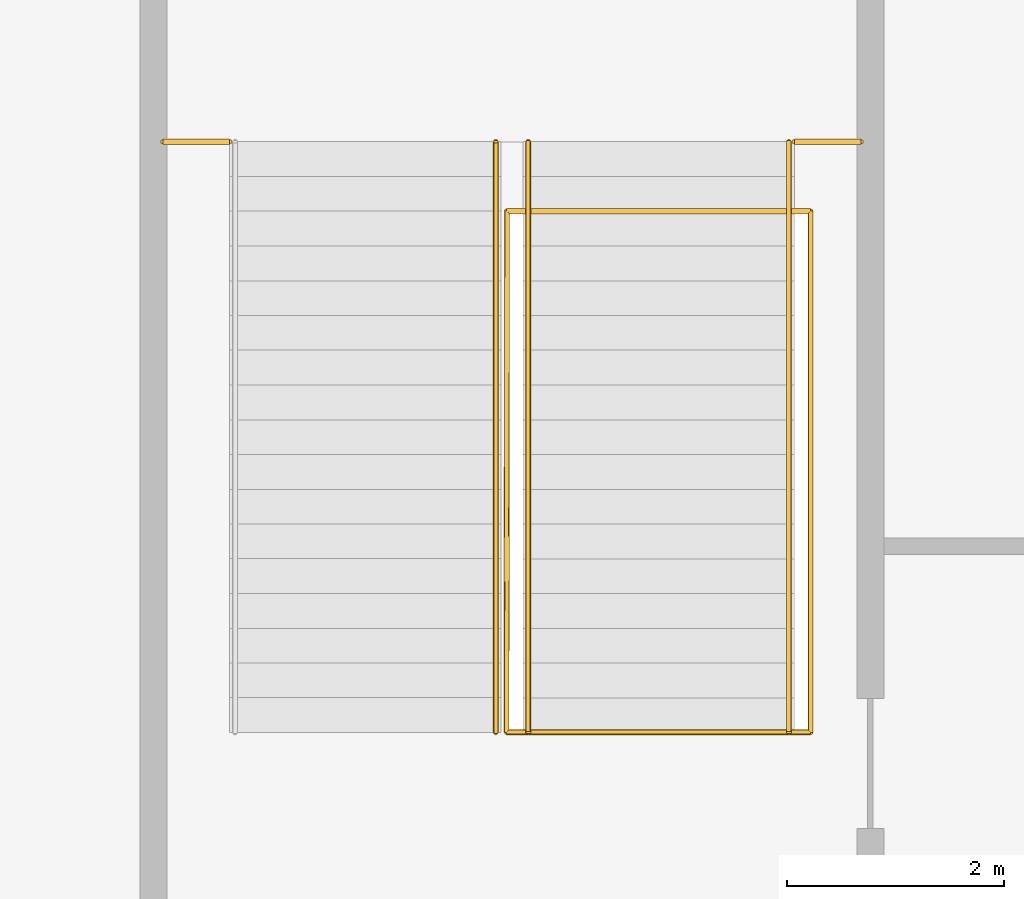
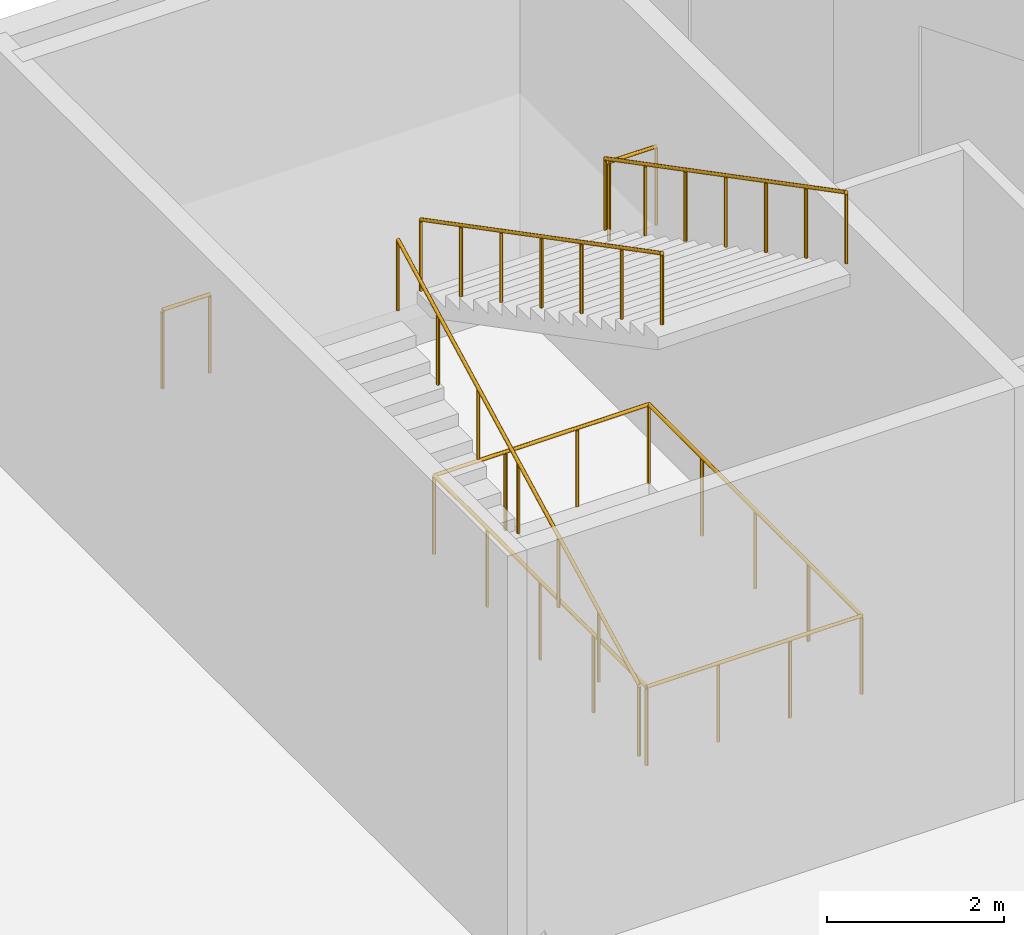
# One storey, part 15 of 16: 6 railings.
"""IFC4 building model written with IfcOpenShell, lengths in metres."""

from ifc_helpers import new_model, si_unit, direction, frame, origin, origin_2d, place, context, subcontext, project, spatial, circle, extrude, material, type_object, element, save


model = new_model("IFC4")

# Units and contexts
model_context = context("Model", 3, precision=1e-05, world=origin(), true_north=direction((0.0, 1.0)))
body_context = subcontext(model_context, "Body", "Model", "MODEL_VIEW")
ifc_project = project(units=[si_unit("LENGTHUNIT", "METRE"), si_unit("AREAUNIT", "SQUARE_METRE"), si_unit("VOLUMEUNIT", "CUBIC_METRE"), si_unit("PLANEANGLEUNIT", "RADIAN"), si_unit("MASSUNIT", "GRAM", prefix="KILO")], contexts=[model_context])

# Site, building, storey
site_placement = place(None, origin())
site = spatial("IfcSite", under=ifc_project, at=site_placement, CompositionType="ELEMENT")
building_placement = place(site_placement, origin())
building = spatial("IfcBuilding", under=site, at=building_placement, Name="Fogline Exchange Tower", CompositionType="ELEMENT")
storey_placement = place(building_placement, frame((0.0, 0.0, 14.0)))
storey = spatial("IfcBuildingStorey", under=building, at=storey_placement, Name="L02", CompositionType="ELEMENT", Elevation=14.0)

# Railings
ifc_material = material(Name="Steel Q235B", Category="steel")
railing_type_1 = type_object("IfcRailingType", Name="PG1", PredefinedType="GUARDRAIL", material=ifc_material)
railing_1_placement = place(storey_placement, frame((-0.050048828125, 69.985107421875, 0.0)))
element("IfcRailing", 1, at=railing_1_placement, inside=storey, type_object=railing_type_1, Name="Stair well guard ST6", PredefinedType="GUARDRAIL", context=body_context, shape_type="SweptSolid", body=[
    extrude(circle(Radius=0.02392578125, at=origin_2d()), frame((0.0, 0.0, 1.076171875), z_axis=(1.0, 0.0, 0.0), x_axis=(0.0, 1.0, 0.0)), (0.0, 0.0, 1.0), 2.800048828125),
    extrude(circle(Radius=0.02392578125, at=origin_2d()), frame((2.800048828125, 0.0, 1.076171875), z_axis=(0.0, -1.0, 0.0), x_axis=(1.0, 0.0, 0.0)), (0.0, 0.0, 1.0), 4.798095703125),
    extrude(circle(Radius=0.02392578125, at=origin_2d()), frame((2.800048828125, -4.798095703125, 1.076171875), z_axis=(-1.0, 0.0, 0.0), x_axis=(0.0, -1.0, 0.0)), (0.0, 0.0, 1.0), 2.800048828125),
    extrude(circle(Radius=0.02392578125, at=origin_2d()), frame((0.0, -4.798095703125, 1.076171875), z_axis=(0.001068538544, 0.999999429113, 0.0), x_axis=(-0.999999429113, 0.001068538544, 0.0)), (0.0, 0.0, 1.0), 4.798095703125),
    extrude(circle(Radius=0.02099609375, at=origin_2d()), origin(), (0.0, 0.0, 1.0), 1.052001953125),
    extrude(circle(Radius=0.02099609375, at=origin_2d()), frame((0.933349609375, 0.0, 0.0)), (0.0, 0.0, 1.0), 1.052001953125),
    extrude(circle(Radius=0.02099609375, at=origin_2d()), frame((1.86669921875, 0.0, 0.0)), (0.0, 0.0, 1.0), 1.052001953125),
    extrude(circle(Radius=0.02099609375, at=origin_2d()), frame((2.800048828125, 0.0, 0.0)), (0.0, 0.0, 1.0), 1.052001953125),
    extrude(circle(Radius=0.02099609375, at=origin_2d()), frame((2.800048828125, -1.199462890625, 0.0)), (0.0, 0.0, 1.0), 1.052001953125),
    extrude(circle(Radius=0.02099609375, at=origin_2d()), frame((2.800048828125, -2.39892578125, 0.0)), (0.0, 0.0, 1.0), 1.052001953125),
    extrude(circle(Radius=0.02099609375, at=origin_2d()), frame((2.800048828125, -3.5986328125, 0.0)), (0.0, 0.0, 1.0), 1.052001953125),
    extrude(circle(Radius=0.02099609375, at=origin_2d()), frame((2.800048828125, -4.798095703125, 0.0)), (0.0, 0.0, 1.0), 1.052001953125),
    extrude(circle(Radius=0.02099609375, at=origin_2d()), frame((1.86669921875, -4.798095703125, 0.0)), (0.0, 0.0, 1.0), 1.052001953125),
    extrude(circle(Radius=0.02099609375, at=origin_2d()), frame((0.933349609375, -4.798095703125, 0.0)), (0.0, 0.0, 1.0), 1.052001953125),
    extrude(circle(Radius=0.02099609375, at=origin_2d()), frame((0.0, -4.798095703125, 0.0)), (0.0, 0.0, 1.0), 1.052001953125),
    extrude(circle(Radius=0.02099609375, at=origin_2d()), frame((0.001220703125, -3.5986328125, 0.0)), (0.0, 0.0, 1.0), 1.052001953125),
    extrude(circle(Radius=0.02099609375, at=origin_2d()), frame((0.00244140625, -2.39892578125, 0.0)), (0.0, 0.0, 1.0), 1.052001953125),
    extrude(circle(Radius=0.02099609375, at=origin_2d()), frame((0.00390625, -1.199462890625, 0.0)), (0.0, 0.0, 1.0), 1.052001953125),
    extrude(circle(Radius=0.02099609375, at=origin_2d()), frame((0.005126953125, 0.0, 0.0)), (0.0, 0.0, 1.0), 1.052001953125),
])
for number, where, name in (
    (2, (-3.215087890625, 70.625, 3.0), "Landing guard ST6"),
    (3, (2.60009765625, 70.625, 3.0), "Landing guard ST6"),
):
    element("IfcRailing", number, at=place(storey_placement, frame(where)), inside=storey, type_object=railing_type_1, Name=name, PredefinedType="GUARDRAIL", context=body_context, shape_type="SweptSolid", body=[
        extrude(circle(Radius=0.02392578125, at=origin_2d()), frame((0.0, 0.0, 1.076171875), z_axis=(1.0, 0.0, 0.0), x_axis=(0.0, 1.0, 0.0)), (0.0, 0.0, 1.0), 0.614990234375),
        extrude(circle(Radius=0.02099609375, at=origin_2d()), origin(), (0.0, 0.0, 1.0), 1.052001953125),
        extrude(circle(Radius=0.02099609375, at=origin_2d()), frame((0.614990234375, 0.0, 0.0)), (0.0, 0.0, 1.0), 1.052001953125),
    ])
railing_type_2 = type_object("IfcRailingType", Name="PH1", PredefinedType="HANDRAIL", material=ifc_material)
railing_2_placement = place(storey_placement, frame((-0.14990234375, 65.18505859375, 0.166748046875)))
element("IfcRailing", 4, at=railing_2_placement, inside=storey, type_object=railing_type_2, Name="Handrail ST6", PredefinedType="HANDRAIL", context=body_context, shape_type="SweptSolid", body=[
    extrude(circle(Radius=0.02392578125, at=origin_2d()), frame((0.0, 0.0, 0.97607421875), z_axis=(0.0, 0.886917481566, 0.461927895771), x_axis=(-1.0, 0.0, 0.0)), (0.0, 0.0, 1.0), 6.133544921875),
    extrude(circle(Radius=0.02099609375, at=origin_2d()), origin(), (0.0, 0.0, 1.0), 0.951904296875),
    extrude(circle(Radius=0.02099609375, at=origin_2d()), frame((0.0, 0.90673828125, 0.47216796875)), (0.0, 0.0, 1.0), 0.951904296875),
    extrude(circle(Radius=0.02099609375, at=origin_2d()), frame((0.0, 1.813232421875, 0.9443359375)), (0.0, 0.0, 1.0), 0.951904296875),
    extrude(circle(Radius=0.02099609375, at=origin_2d()), frame((0.0, 2.719970703125, 1.41650390625)), (0.0, 0.0, 1.0), 0.951904296875),
    extrude(circle(Radius=0.02099609375, at=origin_2d()), frame((0.0, 3.626708984375, 1.888916015625)), (0.0, 0.0, 1.0), 0.951904296875),
    extrude(circle(Radius=0.02099609375, at=origin_2d()), frame((0.0, 4.533203125, 2.361083984375)), (0.0, 0.0, 1.0), 0.951904296875),
    extrude(circle(Radius=0.02099609375, at=origin_2d()), frame((0.0, 5.43994140625, 2.833251953125)), (0.0, 0.0, 1.0), 0.951904296875),
])
for number, where, name in (
    (5, (0.14990234375, 70.625, 3.166748046875), "Handrail ST6"),
    (6, (2.550048828125, 70.625, 3.166748046875), "Handrail ST6"),
):
    element("IfcRailing", number, at=place(storey_placement, frame(where)), inside=storey, type_object=railing_type_2, Name=name, PredefinedType="HANDRAIL", context=body_context, shape_type="SweptSolid", body=[
        extrude(circle(Radius=0.02392578125, at=origin_2d()), frame((0.0, 0.0, 0.97607421875), z_axis=(0.0, -0.886917481566, 0.461927895771), x_axis=(1.0, 0.0, 0.0)), (0.0, 0.0, 1.0), 6.133544921875),
        extrude(circle(Radius=0.02099609375, at=origin_2d()), origin(), (0.0, 0.0, 1.0), 0.951904296875),
        extrude(circle(Radius=0.02099609375, at=origin_2d()), frame((0.0, -0.90673828125, 0.47216796875)), (0.0, 0.0, 1.0), 0.951904296875),
        extrude(circle(Radius=0.02099609375, at=origin_2d()), frame((0.0, -1.813232421875, 0.9443359375)), (0.0, 0.0, 1.0), 0.951904296875),
        extrude(circle(Radius=0.02099609375, at=origin_2d()), frame((0.0, -2.719970703125, 1.41650390625)), (0.0, 0.0, 1.0), 0.951904296875),
        extrude(circle(Radius=0.02099609375, at=origin_2d()), frame((0.0, -3.626708984375, 1.888916015625)), (0.0, 0.0, 1.0), 0.951904296875),
        extrude(circle(Radius=0.02099609375, at=origin_2d()), frame((0.0, -4.533203125, 2.361083984375)), (0.0, 0.0, 1.0), 0.951904296875),
        extrude(circle(Radius=0.02099609375, at=origin_2d()), frame((0.0, -5.43994140625, 2.833251953125)), (0.0, 0.0, 1.0), 0.951904296875),
    ])

save(model, "model.ifc")
